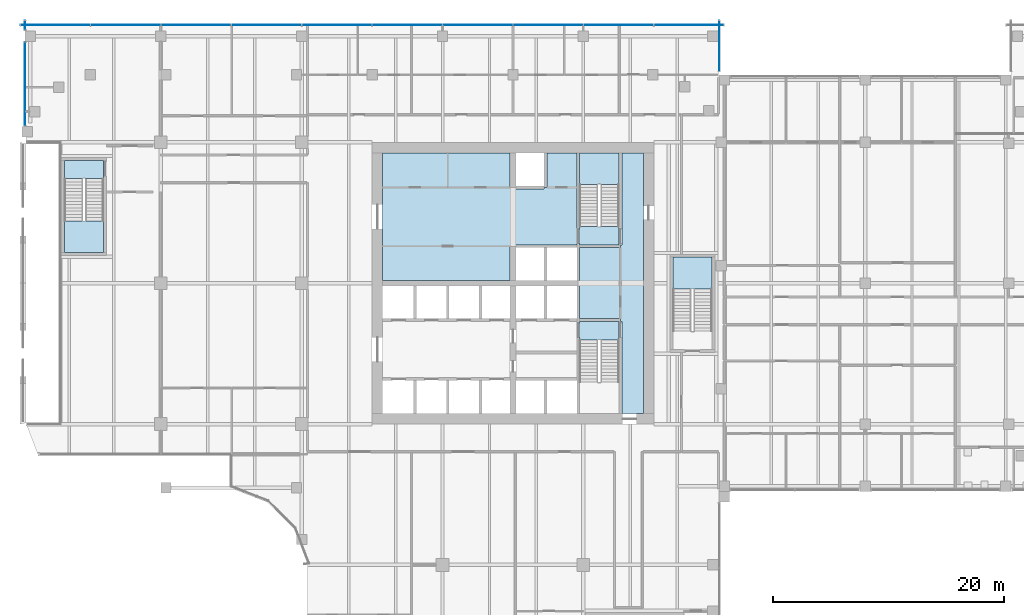
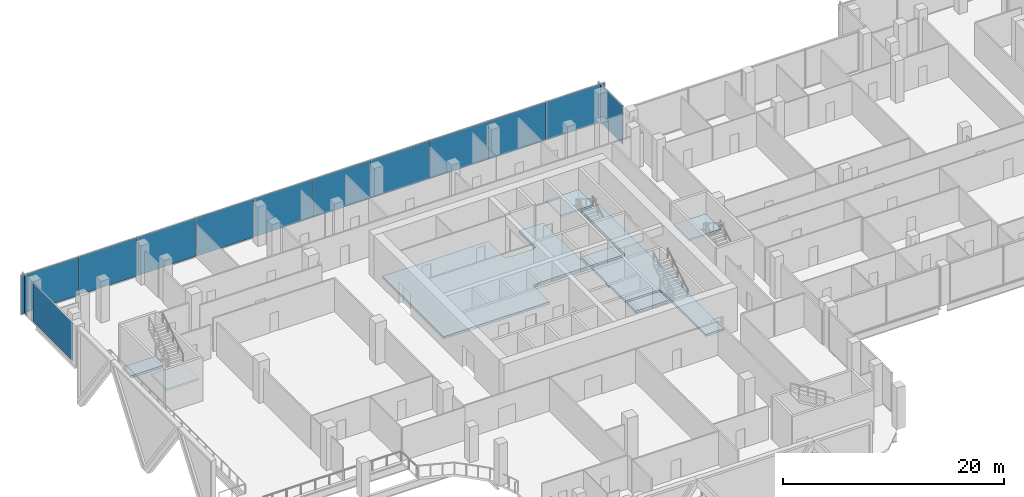
# One storey, part 18 of 33: 13 plates, 8 slabs, 7 elements without a shape of their own.
"""IFC4 building model written with IfcOpenShell, lengths in metres."""

from ifc_helpers import new_model, si_unit, direction, frame, origin, origin_2d, place, context, subcontext, project, spatial, polyline, rectangle, outline, extrude, material, layer, layer_set, type_object, element, aggregate, save


model = new_model("IFC4")

# Units and contexts
model_context = context("Model", 3, precision=1e-05, world=origin(), true_north=direction((0.0, 1.0)))
body_context = subcontext(model_context, "Body", "Model", "MODEL_VIEW")
ifc_project = project(units=[si_unit("LENGTHUNIT", "METRE"), si_unit("AREAUNIT", "SQUARE_METRE"), si_unit("VOLUMEUNIT", "CUBIC_METRE"), si_unit("PLANEANGLEUNIT", "RADIAN"), si_unit("MASSUNIT", "GRAM", prefix="KILO")], contexts=[model_context])

# Site, building, storey
site_placement = place(None, origin())
site = spatial("IfcSite", under=ifc_project, at=site_placement, CompositionType="ELEMENT")
building_placement = place(site_placement, origin())
building = spatial("IfcBuilding", under=site, at=building_placement, Name="Tessera Gate Towers", CompositionType="ELEMENT")
storey_placement = place(building_placement, frame((0.0, 0.0, 12.0)))
storey = spatial("IfcBuildingStorey", under=building, at=storey_placement, Name="L02", CompositionType="ELEMENT", Elevation=12.0)

# Slabs
ifc_material_1 = material(Name="Concrete C35/45", Category="concrete")
ifc_layer_1 = layer(ifc_material_1, 0.25)
ifc_layer_set_1 = layer_set([ifc_layer_1], Name="CORE FLOOR SLAB 250")
slab_type_1 = type_object("IfcSlabType", Name="CORE FLOOR SLAB 250", PredefinedType="FLOOR", material=ifc_layer_set_1)
slab_1_placement = place(storey_placement, frame((0.0, 0.0, -0.25)))
element("IfcSlab", 1, at=slab_1_placement, inside=storey, type_object=slab_type_1, Name="L02 core floor slab", PredefinedType="FLOOR", context=body_context, shape_type="SweptSolid", body=[
    extrude(outline(polyline([(31.39990234375, 47.89990234375), (31.39990234375, 36.85009765625), (42.449951171875, 36.85009765625), (42.449951171875, 39.800048828125), (42.949951171875, 39.800048828125), (42.949951171875, 39.925048828125), (48.22509765625, 39.925048828125), (48.22509765625, 47.89990234375), (45.64990234375, 47.89990234375), (45.64990234375, 44.89990234375), (45.39990234375, 44.89990234375), (45.39990234375, 44.77490234375), (42.949951171875, 44.77490234375), (42.949951171875, 44.89990234375), (42.449951171875, 44.89990234375), (42.449951171875, 47.89990234375), (31.39990234375, 47.89990234375)])), origin(), (0.0, 0.0, 1.0), 0.25),
])
slab_2_placement = place(storey_placement, frame((0.0, 0.0, -0.25)))
element("IfcSlab", 2, at=slab_2_placement, inside=storey, type_object=slab_type_1, Name="L02 core floor slab", PredefinedType="FLOOR", context=body_context, shape_type="SweptSolid", body=[
    extrude(outline(polyline([(48.35009765625, 36.85009765625), (48.35009765625, 36.35009765625), (48.47509765625, 36.35009765625), (48.47509765625, 33.52490234375), (52.0, 33.52490234375), (52.0, 33.27490234375), (52.125, 33.27490234375), (52.125, 25.300048828125), (54.0, 25.300048828125), (54.0, 47.89990234375), (52.125, 47.89990234375), (52.125, 39.925048828125), (52.0, 39.925048828125), (52.0, 39.675048828125), (48.47509765625, 39.675048828125), (48.47509765625, 36.85009765625), (48.35009765625, 36.85009765625)])), origin(), (0.0, 0.0, 1.0), 0.25),
])
slab_3_placement = place(storey_placement, frame((0.0, 0.0, -0.25)))
element("IfcSlab", 3, at=slab_3_placement, inside=storey, type_object=slab_type_1, Name="L02 core floor slab", PredefinedType="FLOOR", context=body_context, shape_type="SweptSolid", body=[
    extrude(outline(polyline([(51.875, 31.675048828125), (51.875, 33.27490234375), (48.47509765625, 33.27490234375), (48.47509765625, 31.675048828125), (51.875, 31.675048828125)])), origin(), (0.0, 0.0, 1.0), 0.25),
])
slab_4_placement = place(storey_placement, frame((0.0, 0.0, -0.25)))
element("IfcSlab", 4, at=slab_4_placement, inside=storey, type_object=slab_type_1, Name="L02 core floor slab", PredefinedType="FLOOR", context=body_context, shape_type="SweptSolid", body=[
    extrude(outline(polyline([(48.47509765625, 41.52490234375), (48.47509765625, 39.925048828125), (51.875, 39.925048828125), (51.875, 41.52490234375), (48.47509765625, 41.52490234375)])), origin(), (0.0, 0.0, 1.0), 0.25),
])
slab_5_placement = place(storey_placement, frame((0.0, 0.0, -0.25)))
element("IfcSlab", 5, at=slab_5_placement, inside=storey, type_object=slab_type_1, Name="L02 ST3 floor landing", PredefinedType="FLOOR", context=body_context, shape_type="SweptSolid", body=[
    extrude(outline(polyline([(3.85009765625, 47.25), (3.85009765625, 45.64990234375), (7.25, 45.64990234375), (7.25, 47.25), (3.85009765625, 47.25)])), origin(), (0.0, 0.0, 1.0), 0.25),
])

# Stair, slab
ifc_material_2 = material(Name="Concrete C40/50", Category="concrete")
stair_type_1 = type_object("IfcStairType", Name="EXIT STAIR ST2A 1600", PredefinedType="HALF_TURN_STAIR", material=ifc_material_2)
stair_1_placement = place(storey_placement, origin())
stair_1 = element("IfcStair", 6, at=stair_1_placement, inside=storey, type_object=stair_type_1, Name="L02 Protected Exit Stair ST2", PredefinedType="HALF_TURN_STAIR")
ifc_material_3 = material(Name="Concrete C40/50", Category="concrete")
ifc_layer_2 = layer(ifc_material_3, 0.199951171875)
ifc_layer_set_2 = layer_set([ifc_layer_2], Name="EXIT STAIR LANDING 200")
slab_type_2 = type_object("IfcSlabType", Name="EXIT STAIR LANDING 200", PredefinedType="LANDING", material=ifc_layer_set_2)
slab_6_placement = place(storey_placement, frame((0.0, 0.0, 2.199951171875)))
slab_6 = element("IfcSlab", 7, at=slab_6_placement, type_object=slab_type_2, Name="ST2 landing 1", PredefinedType="LANDING", context=body_context, shape_type="SweptSolid", body=[
    extrude(outline(polyline([(51.875, 45.1650390625), (51.875, 47.89990234375), (48.47509765625, 47.89990234375), (48.47509765625, 45.1650390625), (51.875, 45.1650390625)])), origin(), (0.0, 0.0, 1.0), 0.199951171875),
])
aggregate(stair_1, [slab_6])

ifc_material_4 = material(Name="Concrete C40/50", Category="concrete")
stair_type_2 = type_object("IfcStairType", Name="EXIT STAIR ST3A 1600", PredefinedType="HALF_TURN_STAIR", material=ifc_material_4)
stair_2_placement = place(storey_placement, origin())
stair_2 = element("IfcStair", 8, at=stair_2_placement, inside=storey, type_object=stair_type_2, Name="L02 West Exit Stair ST3", PredefinedType="HALF_TURN_STAIR")
slab_7_placement = place(storey_placement, frame((0.0, 0.0, 2.199951171875)))
slab_7 = element("IfcSlab", 9, at=slab_7_placement, type_object=slab_type_2, Name="ST3 landing 1", PredefinedType="LANDING", context=body_context, shape_type="SweptSolid", body=[
    extrude(outline(polyline([(3.85009765625, 42.010009765625), (3.85009765625, 39.25), (7.25, 39.25), (7.25, 42.010009765625), (3.85009765625, 42.010009765625)])), origin(), (0.0, 0.0, 1.0), 0.199951171875),
])
aggregate(stair_2, [slab_7])

ifc_material_5 = material(Name="Concrete C40/50", Category="concrete")
stair_type_3 = type_object("IfcStairType", Name="EXIT STAIR ST5A 1600", PredefinedType="HALF_TURN_STAIR", material=ifc_material_5)
stair_3_placement = place(storey_placement, origin())
stair_3 = element("IfcStair", 10, at=stair_3_placement, inside=storey, type_object=stair_type_3, Name="L02 East Exit Stair ST5", PredefinedType="HALF_TURN_STAIR")
slab_8_placement = place(storey_placement, frame((0.0, 0.0, 2.199951171875)))
slab_8 = element("IfcSlab", 11, at=slab_8_placement, type_object=slab_type_2, Name="ST5 landing 1", PredefinedType="LANDING", context=body_context, shape_type="SweptSolid", body=[
    extrude(outline(polyline([(59.949951171875, 36.090087890625), (59.949951171875, 38.85009765625), (56.550048828125, 38.85009765625), (56.550048828125, 36.090087890625), (59.949951171875, 36.090087890625)])), origin(), (0.0, 0.0, 1.0), 0.199951171875),
])
aggregate(stair_3, [slab_8])

# Curtain wall, plate
ifc_material_6 = material(Name="Aluminium frame", Category="aluminium")
curtain_wall_type = type_object("IfcCurtainWallType", Name="CW-S1 podium storefront", PredefinedType="NOTDEFINED", material=ifc_material_6)
curtain_wall_1_placement = place(storey_placement, origin())
curtain_wall_1 = element("IfcCurtainWall", 12, at=curtain_wall_1_placement, inside=storey, type_object=curtain_wall_type, Name="Curtain wall podium storefront 0203", PredefinedType="NOTDEFINED")
ifc_material_7 = material(Name="Low-e laminated glass", Category="glass")
ifc_layer_3 = layer(ifc_material_7, 0.028076171875)
ifc_layer_set_3 = layer_set([ifc_layer_3], Name="PN-S1 glass panel 28")
plate_type = type_object("IfcPlateType", Name="PN-S1 glass panel 28", PredefinedType="CURTAIN_PANEL", material=ifc_layer_set_3)
plate_1_placement = place(storey_placement, frame((60.574951171875, 57.14990234375, 0.06005859375), z_axis=(0.0, 0.0, 1.0), x_axis=(0.0, 1.0, 0.0)))
plate_1 = element("IfcPlate", 13, at=plate_1_placement, type_object=plate_type, Name="PD-CW1-0203 panel 1.1", PredefinedType="CURTAIN_PANEL", context=body_context, shape_type="SweptSolid", body=[
    extrude(rectangle(XDim=4.3798828125, YDim=0.028076171875, at=origin_2d()), origin(), (0.0, 0.0, 1.0), 4.22998046875),
])
aggregate(curtain_wall_1, [plate_1])

# Curtain wall, plates
curtain_wall_2_placement = place(storey_placement, origin())
curtain_wall_2 = element("IfcCurtainWall", 14, at=curtain_wall_2_placement, inside=storey, type_object=curtain_wall_type, Name="Curtain wall podium storefront 0211", PredefinedType="NOTDEFINED")
plate_2_placement = place(storey_placement, frame((57.93505859375, 58.97509765625, 0.06005859375), z_axis=(0.0, 0.0, 1.0), x_axis=(-1.0, 0.0, 0.0)))
plate_2 = element("IfcPlate", 15, at=plate_2_placement, type_object=plate_type, Name="PD-CW1-0211 panel 1.1", PredefinedType="CURTAIN_PANEL", context=body_context, shape_type="SweptSolid", body=[
    extrude(rectangle(XDim=6.010009765625, YDim=0.028076171875, at=origin_2d()), origin(), (0.0, 0.0, 1.0), 4.22998046875),
])
plate_3_placement = place(storey_placement, frame((51.85009765625, 58.97509765625, 0.06005859375), z_axis=(0.0, 0.0, 1.0), x_axis=(-1.0, 0.0, 0.0)))
plate_3 = element("IfcPlate", 16, at=plate_3_placement, type_object=plate_type, Name="PD-CW1-0211 panel 2.1", PredefinedType="CURTAIN_PANEL", context=body_context, shape_type="SweptSolid", body=[
    extrude(rectangle(XDim=6.0400390625, YDim=0.028076171875, at=origin_2d()), origin(), (0.0, 0.0, 1.0), 4.22998046875),
])
plate_4_placement = place(storey_placement, frame((45.75, 58.97509765625, 0.06005859375), z_axis=(0.0, 0.0, 1.0), x_axis=(-1.0, 0.0, 0.0)))
plate_4 = element("IfcPlate", 17, at=plate_4_placement, type_object=plate_type, Name="PD-CW1-0211 panel 3.1", PredefinedType="CURTAIN_PANEL", context=body_context, shape_type="SweptSolid", body=[
    extrude(rectangle(XDim=6.0400390625, YDim=0.028076171875, at=origin_2d()), origin(), (0.0, 0.0, 1.0), 4.22998046875),
])
plate_5_placement = place(storey_placement, frame((39.64990234375, 58.97509765625, 0.06005859375), z_axis=(0.0, 0.0, 1.0), x_axis=(-1.0, 0.0, 0.0)))
plate_5 = element("IfcPlate", 18, at=plate_5_placement, type_object=plate_type, Name="PD-CW1-0211 panel 4.1", PredefinedType="CURTAIN_PANEL", context=body_context, shape_type="SweptSolid", body=[
    extrude(rectangle(XDim=6.0400390625, YDim=0.028076171875, at=origin_2d()), origin(), (0.0, 0.0, 1.0), 4.22998046875),
])
plate_6_placement = place(storey_placement, frame((33.550048828125, 58.97509765625, 0.06005859375), z_axis=(0.0, 0.0, 1.0), x_axis=(-1.0, 0.0, 0.0)))
plate_6 = element("IfcPlate", 19, at=plate_6_placement, type_object=plate_type, Name="PD-CW1-0211 panel 5.1", PredefinedType="CURTAIN_PANEL", context=body_context, shape_type="SweptSolid", body=[
    extrude(rectangle(XDim=6.0400390625, YDim=0.028076171875, at=origin_2d()), origin(), (0.0, 0.0, 1.0), 4.22998046875),
])
plate_7_placement = place(storey_placement, frame((27.449951171875, 58.97509765625, 0.06005859375), z_axis=(0.0, 0.0, 1.0), x_axis=(-1.0, 0.0, 0.0)))
plate_7 = element("IfcPlate", 20, at=plate_7_placement, type_object=plate_type, Name="PD-CW1-0211 panel 6.1", PredefinedType="CURTAIN_PANEL", context=body_context, shape_type="SweptSolid", body=[
    extrude(rectangle(XDim=6.0400390625, YDim=0.028076171875, at=origin_2d()), origin(), (0.0, 0.0, 1.0), 4.22998046875),
])
plate_8_placement = place(storey_placement, frame((21.35009765625, 58.97509765625, 0.06005859375), z_axis=(0.0, 0.0, 1.0), x_axis=(-1.0, 0.0, 0.0)))
plate_8 = element("IfcPlate", 21, at=plate_8_placement, type_object=plate_type, Name="PD-CW1-0211 panel 7.1", PredefinedType="CURTAIN_PANEL", context=body_context, shape_type="SweptSolid", body=[
    extrude(rectangle(XDim=6.0400390625, YDim=0.028076171875, at=origin_2d()), origin(), (0.0, 0.0, 1.0), 4.22998046875),
])
plate_9_placement = place(storey_placement, frame((15.25, 58.97509765625, 0.06005859375), z_axis=(0.0, 0.0, 1.0), x_axis=(-1.0, 0.0, 0.0)))
plate_9 = element("IfcPlate", 22, at=plate_9_placement, type_object=plate_type, Name="PD-CW1-0211 panel 8.1", PredefinedType="CURTAIN_PANEL", context=body_context, shape_type="SweptSolid", body=[
    extrude(rectangle(XDim=6.0400390625, YDim=0.028076171875, at=origin_2d()), origin(), (0.0, 0.0, 1.0), 4.22998046875),
])
plate_10_placement = place(storey_placement, frame((9.14990234375, 58.97509765625, 0.06005859375), z_axis=(0.0, 0.0, 1.0), x_axis=(-1.0, 0.0, 0.0)))
plate_10 = element("IfcPlate", 23, at=plate_10_placement, type_object=plate_type, Name="PD-CW1-0211 panel 9.1", PredefinedType="CURTAIN_PANEL", context=body_context, shape_type="SweptSolid", body=[
    extrude(rectangle(XDim=6.0400390625, YDim=0.028076171875, at=origin_2d()), origin(), (0.0, 0.0, 1.0), 4.22998046875),
])
plate_11_placement = place(storey_placement, frame((3.06494140625, 58.97509765625, 0.06005859375), z_axis=(0.0, 0.0, 1.0), x_axis=(-1.0, 0.0, 0.0)))
plate_11 = element("IfcPlate", 24, at=plate_11_placement, type_object=plate_type, Name="PD-CW1-0211 panel 10.1", PredefinedType="CURTAIN_PANEL", context=body_context, shape_type="SweptSolid", body=[
    extrude(rectangle(XDim=6.010009765625, YDim=0.028076171875, at=origin_2d()), origin(), (0.0, 0.0, 1.0), 4.22998046875),
])
aggregate(curtain_wall_2, [plate_2, plate_3, plate_4, plate_5, plate_6, plate_7, plate_8, plate_9, plate_10, plate_11])

# Curtain wall, plate
curtain_wall_3_placement = place(storey_placement, origin())
curtain_wall_3 = element("IfcCurtainWall", 25, at=curtain_wall_3_placement, inside=storey, type_object=curtain_wall_type, Name="Curtain wall podium storefront 0216", PredefinedType="NOTDEFINED")
plate_12_placement = place(storey_placement, frame((0.425048828125, 58.93994140625, 0.06005859375), z_axis=(0.0, 0.0, 1.0), x_axis=(0.0, -1.0, 0.0)))
plate_12 = element("IfcPlate", 26, at=plate_12_placement, type_object=plate_type, Name="PD-CW1-0216 panel 1.1", PredefinedType="CURTAIN_PANEL", context=body_context, shape_type="SweptSolid", body=[
    extrude(rectangle(XDim=0.800048828125, YDim=0.028076171875, at=origin_2d()), origin(), (0.0, 0.0, 1.0), 4.22998046875),
])
aggregate(curtain_wall_3, [plate_12])

curtain_wall_4_placement = place(storey_placement, origin())
curtain_wall_4 = element("IfcCurtainWall", 27, at=curtain_wall_4_placement, inside=storey, type_object=curtain_wall_type, Name="Curtain wall podium storefront 0217", PredefinedType="NOTDEFINED")
plate_13_placement = place(storey_placement, frame((0.425048828125, 53.860107421875, 0.06005859375), z_axis=(0.0, 0.0, 1.0), x_axis=(0.0, -1.0, 0.0)))
plate_13 = element("IfcPlate", 28, at=plate_13_placement, type_object=plate_type, Name="PD-CW1-0217 panel 1.1", PredefinedType="CURTAIN_PANEL", context=body_context, shape_type="SweptSolid", body=[
    extrude(rectangle(XDim=7.199951171875, YDim=0.028076171875, at=origin_2d()), origin(), (0.0, 0.0, 1.0), 4.22998046875),
])
aggregate(curtain_wall_4, [plate_13])

save(model, "model.ifc")
